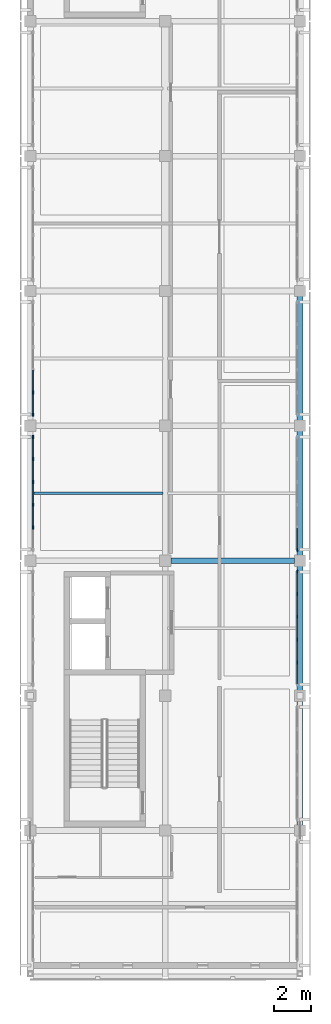
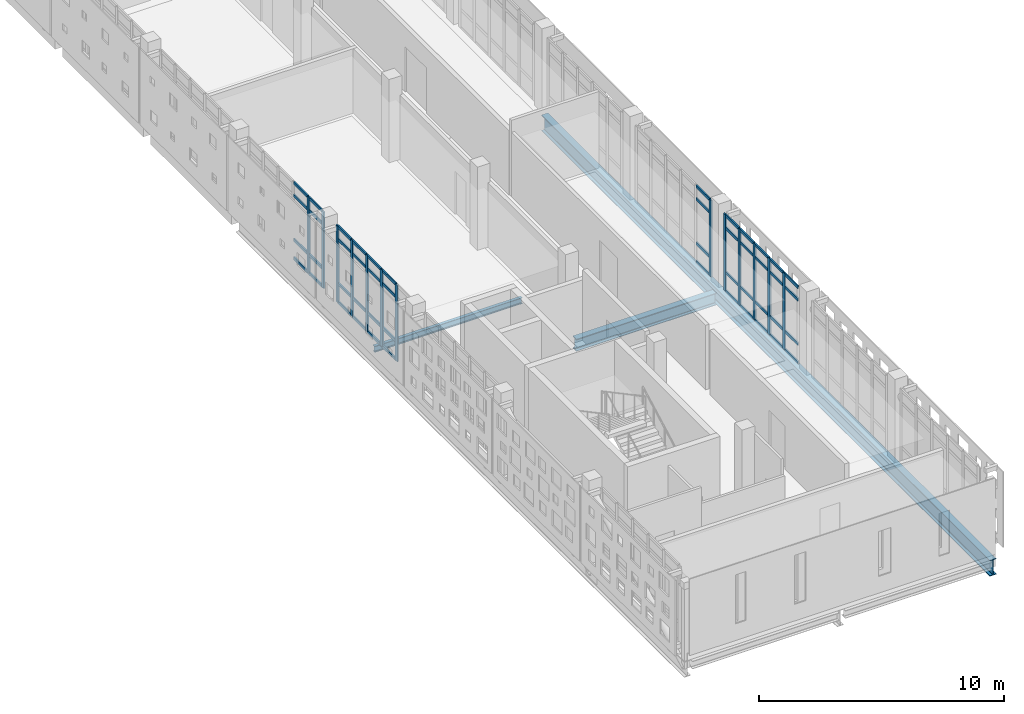
# One storey, part 4 of 21: 61 members, 3 beams, 4 elements without a shape of their own.
"""IFC4 building model written with IfcOpenShell, lengths in metres."""

from ifc_helpers import new_model, si_unit, direction, frame, origin, origin_2d, place, context, subcontext, project, spatial, rectangle, i_section, extrude, material, layer, layer_set, material_profile, profile_set, type_object, element, aggregate, save


model = new_model("IFC4")

# Units and contexts
model_context = context("Model", 3, precision=1e-05, world=origin(), true_north=direction((0.0, 1.0)))
body_context = subcontext(model_context, "Body", "Model", "MODEL_VIEW")
ifc_project = project(units=[si_unit("LENGTHUNIT", "METRE"), si_unit("AREAUNIT", "SQUARE_METRE"), si_unit("VOLUMEUNIT", "CUBIC_METRE"), si_unit("PLANEANGLEUNIT", "RADIAN"), si_unit("MASSUNIT", "GRAM", prefix="KILO")], contexts=[model_context])

# Site, building, storey
site_placement = place(None, origin())
site = spatial("IfcSite", under=ifc_project, at=site_placement, CompositionType="ELEMENT")
building_placement = place(site_placement, origin())
building = spatial("IfcBuilding", under=site, at=building_placement, Name="Valkovuoma Quantum and Materials Research Institute", CompositionType="ELEMENT")
storey_placement = place(building_placement, frame((0.0, 0.0, 33.919921875)))
storey = spatial("IfcBuildingStorey", under=building, at=storey_placement, Name="L08", CompositionType="ELEMENT", Elevation=33.919921875)

# Beams
ifc_material_1 = material(Name="Steel S355J2", Category="steel")
ifc_material_profile_1 = material_profile(ifc_material_1, i_section(OverallWidth=0.300048828125, OverallDepth=0.60009765625, WebThickness=0.015380859375, FlangeThickness=0.030029296875, FilletRadius=0.027099609375, at=origin_2d()), Name="Steel S355J2")
ifc_profile_set_1 = profile_set([ifc_material_profile_1], Name="Steel S355J2")
beam_type_1 = type_object("IfcBeamType", Name="Beam-B-HEB600", PredefinedType="BEAM", material=ifc_profile_set_1)
beam_1_placement = place(storey_placement, frame((7.5, 43.199951171875, -0.64990234375), z_axis=(1.0, 0.0, 0.0), x_axis=(0.0, 1.0, 0.0)))
element("IfcBeam", 1, at=beam_1_placement, inside=storey, type_object=beam_type_1, Name="L08 beam X-2535", PredefinedType="BEAM", context=body_context, shape_type="SweptSolid", body=[
    extrude(i_section(OverallWidth=0.300048828125, OverallDepth=0.60009765625, WebThickness=0.015380859375, FlangeThickness=0.030029296875, FilletRadius=0.027099609375, at=origin_2d()), origin(), (0.0, 0.0, 1.0), 6.60009765625),
])
ifc_material_2 = material(Name="Steel S355J2", Category="steel")
ifc_material_profile_2 = material_profile(ifc_material_2, i_section(OverallWidth=0.300048828125, OverallDepth=0.800048828125, WebThickness=0.017578125, FlangeThickness=0.032958984375, FilletRadius=0.030029296875, at=origin_2d()), Name="Steel S355J2")
ifc_profile_set_2 = profile_set([ifc_material_profile_2], Name="Steel S355J2")
beam_type_2 = type_object("IfcBeamType", Name="Beam-B-HEB800", PredefinedType="BEAM", material=ifc_profile_set_2)
beam_2_placement = place(storey_placement, frame((14.39990234375, 21.0, -0.75), z_axis=(0.0, 1.0, 0.0), x_axis=(-1.0, 0.0, 0.0)))
element("IfcBeam", 2, at=beam_2_placement, inside=storey, type_object=beam_type_2, Name="L08 cantilever girder X2", PredefinedType="BEAM", context=body_context, shape_type="SweptSolid", body=[
    extrude(i_section(OverallWidth=0.300048828125, OverallDepth=0.800048828125, WebThickness=0.017578125, FlangeThickness=0.032958984375, FilletRadius=0.030029296875, at=origin_2d()), origin(), (0.0, 0.0, 1.0), 36.60009765625),
])
ifc_material_3 = material(Name="Steel S355J2", Category="steel")
ifc_material_profile_3 = material_profile(ifc_material_3, i_section(OverallWidth=0.14990234375, OverallDepth=0.300048828125, WebThickness=0.007080078125, FlangeThickness=0.0107421875, FilletRadius=0.014892578125, at=origin_2d()), Name="Steel S355J2")
ifc_profile_set_3 = profile_set([ifc_material_profile_3], Name="Steel S355J2")
beam_type_3 = type_object("IfcBeamType", Name="Beam-B-JST300", PredefinedType="JOIST", material=ifc_profile_set_3)
beam_3_placement = place(storey_placement, frame((0.1201171875, 46.800048828125, -0.5), z_axis=(1.0, 0.0, 0.0), x_axis=(0.0, 1.0, 0.0)))
element("IfcBeam", 3, at=beam_3_placement, inside=storey, type_object=beam_type_3, Name="L08 floor joist 2562", PredefinedType="JOIST", context=body_context, shape_type="SweptSolid", body=[
    extrude(i_section(OverallWidth=0.14990234375, OverallDepth=0.300048828125, WebThickness=0.007080078125, FlangeThickness=0.0107421875, FilletRadius=0.014892578125, at=origin_2d()), origin(), (0.0, 0.0, 1.0), 6.9599609375),
])

# Curtain wall, members
ifc_material_4 = material(Name="Thermally broken aluminium and triple low-E glazing", Category="aluminium")
ifc_layer = layer(ifc_material_4, 0.219970703125)
ifc_layer_set = layer_set([ifc_layer], Name="Thermally broken aluminium and triple low-E glazing")
curtain_wall_type = type_object("IfcCurtainWallType", Name="CW-CW-01", PredefinedType="NOTDEFINED", material=ifc_layer_set)
curtain_wall_1_placement = place(storey_placement, origin())
curtain_wall_1 = element("IfcCurtainWall", 4, at=curtain_wall_1_placement, inside=storey, type_object=curtain_wall_type, Name="L08 curtain wall 113", PredefinedType="NOTDEFINED")
ifc_material_5 = material(Name="Anodised aluminium 6060-T66", Category="aluminium")
ifc_material_profile_4 = material_profile(ifc_material_5, rectangle(XDim=0.06494140625, YDim=0.179931640625, at=origin_2d()), Name="Anodised aluminium 6060-T66")
ifc_profile_set_4 = profile_set([ifc_material_profile_4], Name="Anodised aluminium 6060-T66")
member_type_1 = type_object("IfcMemberType", Name="CWMull-CWM-01", PredefinedType="MULLION", material=ifc_profile_set_4)
member_1_placement = place(storey_placement, frame((14.25, 37.774169921875, 0.0), z_axis=(0.0, 0.0, 1.0), x_axis=(-1.0, 0.0, 0.0)))
member_1 = element("IfcMember", 5, at=member_1_placement, type_object=member_type_1, Name="CW-01 mullion 2", PredefinedType="MULLION", context=body_context, shape_type="SweptSolid", body=[
    extrude(rectangle(XDim=0.06494140625, YDim=0.179931640625, at=origin_2d()), origin(), (0.0, 0.0, 1.0), 3.81005859375),
])
member_2_placement = place(storey_placement, frame((14.25, 38.991455078125, 0.0), z_axis=(0.0, 0.0, 1.0), x_axis=(-1.0, 0.0, 0.0)))
member_2 = element("IfcMember", 6, at=member_2_placement, type_object=member_type_1, Name="CW-01 mullion 3", PredefinedType="MULLION", context=body_context, shape_type="SweptSolid", body=[
    extrude(rectangle(XDim=0.06494140625, YDim=0.179931640625, at=origin_2d()), origin(), (0.0, 0.0, 1.0), 3.81005859375),
])
member_3_placement = place(storey_placement, frame((14.25, 40.20849609375, 0.0), z_axis=(0.0, 0.0, 1.0), x_axis=(-1.0, 0.0, 0.0)))
member_3 = element("IfcMember", 7, at=member_3_placement, type_object=member_type_1, Name="CW-01 mullion 4", PredefinedType="MULLION", context=body_context, shape_type="SweptSolid", body=[
    extrude(rectangle(XDim=0.06494140625, YDim=0.179931640625, at=origin_2d()), origin(), (0.0, 0.0, 1.0), 3.81005859375),
])
member_4_placement = place(storey_placement, frame((14.25, 41.42578125, 0.0), z_axis=(0.0, 0.0, 1.0), x_axis=(-1.0, 0.0, 0.0)))
member_4 = element("IfcMember", 8, at=member_4_placement, type_object=member_type_1, Name="CW-01 mullion 5", PredefinedType="MULLION", context=body_context, shape_type="SweptSolid", body=[
    extrude(rectangle(XDim=0.06494140625, YDim=0.179931640625, at=origin_2d()), origin(), (0.0, 0.0, 1.0), 3.81005859375),
])
member_5_placement = place(storey_placement, frame((14.25, 42.6103515625, 0.0), z_axis=(0.0, 0.0, 1.0), x_axis=(-1.0, 0.0, 0.0)))
member_5 = element("IfcMember", 9, at=member_5_placement, type_object=member_type_1, Name="CW-01 mullion 6", PredefinedType="MULLION", context=body_context, shape_type="SweptSolid", body=[
    extrude(rectangle(XDim=0.06494140625, YDim=0.179931640625, at=origin_2d()), origin(), (0.0, 0.0, 1.0), 3.81005859375),
])

curtain_wall_2_placement = place(storey_placement, origin())
curtain_wall_2 = element("IfcCurtainWall", 10, at=curtain_wall_2_placement, inside=storey, type_object=curtain_wall_type, Name="L08 curtain wall 114", PredefinedType="NOTDEFINED")
member_6_placement = place(storey_placement, frame((0.14990234375, 44.974365234375, 0.0), z_axis=(0.0, 0.0, 1.0), x_axis=(-1.0, 0.0, 0.0)))
member_6 = element("IfcMember", 11, at=member_6_placement, type_object=member_type_1, Name="CW-01 mullion 2", PredefinedType="MULLION", context=body_context, shape_type="SweptSolid", body=[
    extrude(rectangle(XDim=0.06494140625, YDim=0.179931640625, at=origin_2d()), origin(), (0.0, 0.0, 1.0), 3.81005859375),
])
member_7_placement = place(storey_placement, frame((0.14990234375, 46.19140625, 0.0), z_axis=(0.0, 0.0, 1.0), x_axis=(-1.0, 0.0, 0.0)))
member_7 = element("IfcMember", 12, at=member_7_placement, type_object=member_type_1, Name="CW-01 mullion 3", PredefinedType="MULLION", context=body_context, shape_type="SweptSolid", body=[
    extrude(rectangle(XDim=0.06494140625, YDim=0.179931640625, at=origin_2d()), origin(), (0.0, 0.0, 1.0), 3.81005859375),
])
member_8_placement = place(storey_placement, frame((0.14990234375, 47.40869140625, 0.0), z_axis=(0.0, 0.0, 1.0), x_axis=(-1.0, 0.0, 0.0)))
member_8 = element("IfcMember", 13, at=member_8_placement, type_object=member_type_1, Name="CW-01 mullion 4", PredefinedType="MULLION", context=body_context, shape_type="SweptSolid", body=[
    extrude(rectangle(XDim=0.06494140625, YDim=0.179931640625, at=origin_2d()), origin(), (0.0, 0.0, 1.0), 3.81005859375),
])
member_9_placement = place(storey_placement, frame((0.14990234375, 48.625732421875, 0.0), z_axis=(0.0, 0.0, 1.0), x_axis=(-1.0, 0.0, 0.0)))
member_9 = element("IfcMember", 14, at=member_9_placement, type_object=member_type_1, Name="CW-01 mullion 5", PredefinedType="MULLION", context=body_context, shape_type="SweptSolid", body=[
    extrude(rectangle(XDim=0.06494140625, YDim=0.179931640625, at=origin_2d()), origin(), (0.0, 0.0, 1.0), 3.81005859375),
])
member_10_placement = place(storey_placement, frame((0.14990234375, 49.810302734375, 0.0), z_axis=(0.0, 0.0, 1.0), x_axis=(-1.0, 0.0, 0.0)))
member_10 = element("IfcMember", 15, at=member_10_placement, type_object=member_type_1, Name="CW-01 mullion 6", PredefinedType="MULLION", context=body_context, shape_type="SweptSolid", body=[
    extrude(rectangle(XDim=0.06494140625, YDim=0.179931640625, at=origin_2d()), origin(), (0.0, 0.0, 1.0), 3.81005859375),
])

# Curtain wall, member
curtain_wall_3_placement = place(storey_placement, origin())
curtain_wall_3 = element("IfcCurtainWall", 16, at=curtain_wall_3_placement, inside=storey, type_object=curtain_wall_type, Name="L08 curtain wall 115", PredefinedType="NOTDEFINED")
member_11_placement = place(storey_placement, frame((14.25, 43.78955078125, 0.0), z_axis=(0.0, 0.0, 1.0), x_axis=(-1.0, 0.0, 0.0)))
member_11 = element("IfcMember", 17, at=member_11_placement, type_object=member_type_1, Name="CW-01 mullion 1", PredefinedType="MULLION", context=body_context, shape_type="SweptSolid", body=[
    extrude(rectangle(XDim=0.06494140625, YDim=0.179931640625, at=origin_2d()), origin(), (0.0, 0.0, 1.0), 3.81005859375),
])

# Curtain wall, members
curtain_wall_4_placement = place(storey_placement, origin())
curtain_wall_4 = element("IfcCurtainWall", 18, at=curtain_wall_4_placement, inside=storey, type_object=curtain_wall_type, Name="L08 curtain wall 116", PredefinedType="NOTDEFINED")
member_12_placement = place(storey_placement, frame((0.14990234375, 50.989501953125, 0.0), z_axis=(0.0, 0.0, 1.0), x_axis=(-1.0, 0.0, 0.0)))
member_12 = element("IfcMember", 19, at=member_12_placement, type_object=member_type_1, Name="CW-01 mullion 1", PredefinedType="MULLION", context=body_context, shape_type="SweptSolid", body=[
    extrude(rectangle(XDim=0.06494140625, YDim=0.179931640625, at=origin_2d()), origin(), (0.0, 0.0, 1.0), 3.81005859375),
])
member_13_placement = place(storey_placement, frame((0.14990234375, 52.17431640625, 0.0), z_axis=(0.0, 0.0, 1.0), x_axis=(-1.0, 0.0, 0.0)))
member_13 = element("IfcMember", 20, at=member_13_placement, type_object=member_type_1, Name="CW-01 mullion 2", PredefinedType="MULLION", context=body_context, shape_type="SweptSolid", body=[
    extrude(rectangle(XDim=0.06494140625, YDim=0.179931640625, at=origin_2d()), origin(), (0.0, 0.0, 1.0), 3.81005859375),
])

# Member
ifc_material_6 = material(Name="Anodised aluminium 6060-T66", Category="aluminium")
ifc_material_profile_5 = material_profile(ifc_material_6, rectangle(XDim=0.06494140625, YDim=0.139892578125, at=origin_2d()), Name="Anodised aluminium 6060-T66")
ifc_profile_set_5 = profile_set([ifc_material_profile_5], Name="Anodised aluminium 6060-T66")
member_type_2 = type_object("IfcMemberType", Name="CWTran-CWT-01", PredefinedType="USERDEFINED", material=ifc_profile_set_5)
member_14_placement = place(storey_placement, frame((14.25, 36.6220703125, 0.032470703125), z_axis=(0.0, 1.0, 0.0), x_axis=(-1.0, 0.0, 0.0)))
member_14 = element("IfcMember", 21, at=member_14_placement, type_object=member_type_2, Name="CW-01 transom 1.1", ObjectType="TRANSOM", PredefinedType="USERDEFINED", context=body_context, shape_type="SweptSolid", body=[
    extrude(rectangle(XDim=0.06494140625, YDim=0.139892578125, at=origin_2d()), origin(), (0.0, 0.0, 1.0), 1.11962890625),
])

member_15_placement = place(storey_placement, frame((14.25, 36.6220703125, 0.9501953125), z_axis=(0.0, 1.0, 0.0), x_axis=(-1.0, 0.0, 0.0)))
member_15 = element("IfcMember", 22, at=member_15_placement, type_object=member_type_2, Name="CW-01 transom 1.2", ObjectType="TRANSOM", PredefinedType="USERDEFINED", context=body_context, shape_type="SweptSolid", body=[
    extrude(rectangle(XDim=0.06494140625, YDim=0.139892578125, at=origin_2d()), origin(), (0.0, 0.0, 1.0), 1.11962890625),
])

member_16_placement = place(storey_placement, frame((14.25, 36.6220703125, 3.16015625), z_axis=(0.0, 1.0, 0.0), x_axis=(-1.0, 0.0, 0.0)))
member_16 = element("IfcMember", 23, at=member_16_placement, type_object=member_type_2, Name="CW-01 transom 1.3", ObjectType="TRANSOM", PredefinedType="USERDEFINED", context=body_context, shape_type="SweptSolid", body=[
    extrude(rectangle(XDim=0.06494140625, YDim=0.139892578125, at=origin_2d()), origin(), (0.0, 0.0, 1.0), 1.11962890625),
])

member_17_placement = place(storey_placement, frame((14.25, 36.6220703125, 3.777587890625), z_axis=(0.0, 1.0, 0.0), x_axis=(-1.0, 0.0, 0.0)))
member_17 = element("IfcMember", 24, at=member_17_placement, type_object=member_type_2, Name="CW-01 transom 1.4", ObjectType="TRANSOM", PredefinedType="USERDEFINED", context=body_context, shape_type="SweptSolid", body=[
    extrude(rectangle(XDim=0.06494140625, YDim=0.139892578125, at=origin_2d()), origin(), (0.0, 0.0, 1.0), 1.11962890625),
])

member_18_placement = place(storey_placement, frame((14.25, 37.806640625, 0.032470703125), z_axis=(0.0, 1.0, 0.0), x_axis=(-1.0, 0.0, 0.0)))
member_18 = element("IfcMember", 25, at=member_18_placement, type_object=member_type_2, Name="CW-01 transom 2.1", ObjectType="TRANSOM", PredefinedType="USERDEFINED", context=body_context, shape_type="SweptSolid", body=[
    extrude(rectangle(XDim=0.06494140625, YDim=0.139892578125, at=origin_2d()), origin(), (0.0, 0.0, 1.0), 1.15234375),
])

member_19_placement = place(storey_placement, frame((14.25, 37.806640625, 0.9501953125), z_axis=(0.0, 1.0, 0.0), x_axis=(-1.0, 0.0, 0.0)))
member_19 = element("IfcMember", 26, at=member_19_placement, type_object=member_type_2, Name="CW-01 transom 2.2", ObjectType="TRANSOM", PredefinedType="USERDEFINED", context=body_context, shape_type="SweptSolid", body=[
    extrude(rectangle(XDim=0.06494140625, YDim=0.139892578125, at=origin_2d()), origin(), (0.0, 0.0, 1.0), 1.15234375),
])

member_20_placement = place(storey_placement, frame((14.25, 37.806640625, 3.16015625), z_axis=(0.0, 1.0, 0.0), x_axis=(-1.0, 0.0, 0.0)))
member_20 = element("IfcMember", 27, at=member_20_placement, type_object=member_type_2, Name="CW-01 transom 2.3", ObjectType="TRANSOM", PredefinedType="USERDEFINED", context=body_context, shape_type="SweptSolid", body=[
    extrude(rectangle(XDim=0.06494140625, YDim=0.139892578125, at=origin_2d()), origin(), (0.0, 0.0, 1.0), 1.15234375),
])

member_21_placement = place(storey_placement, frame((14.25, 37.806640625, 3.777587890625), z_axis=(0.0, 1.0, 0.0), x_axis=(-1.0, 0.0, 0.0)))
member_21 = element("IfcMember", 28, at=member_21_placement, type_object=member_type_2, Name="CW-01 transom 2.4", ObjectType="TRANSOM", PredefinedType="USERDEFINED", context=body_context, shape_type="SweptSolid", body=[
    extrude(rectangle(XDim=0.06494140625, YDim=0.139892578125, at=origin_2d()), origin(), (0.0, 0.0, 1.0), 1.15234375),
])

member_22_placement = place(storey_placement, frame((14.25, 39.02392578125, 0.032470703125), z_axis=(0.0, 1.0, 0.0), x_axis=(-1.0, 0.0, 0.0)))
member_22 = element("IfcMember", 29, at=member_22_placement, type_object=member_type_2, Name="CW-01 transom 3.1", ObjectType="TRANSOM", PredefinedType="USERDEFINED", context=body_context, shape_type="SweptSolid", body=[
    extrude(rectangle(XDim=0.06494140625, YDim=0.139892578125, at=origin_2d()), origin(), (0.0, 0.0, 1.0), 1.152099609375),
])

member_23_placement = place(storey_placement, frame((14.25, 39.02392578125, 0.9501953125), z_axis=(0.0, 1.0, 0.0), x_axis=(-1.0, 0.0, 0.0)))
member_23 = element("IfcMember", 30, at=member_23_placement, type_object=member_type_2, Name="CW-01 transom 3.2", ObjectType="TRANSOM", PredefinedType="USERDEFINED", context=body_context, shape_type="SweptSolid", body=[
    extrude(rectangle(XDim=0.06494140625, YDim=0.139892578125, at=origin_2d()), origin(), (0.0, 0.0, 1.0), 1.152099609375),
])

member_24_placement = place(storey_placement, frame((14.25, 39.02392578125, 3.16015625), z_axis=(0.0, 1.0, 0.0), x_axis=(-1.0, 0.0, 0.0)))
member_24 = element("IfcMember", 31, at=member_24_placement, type_object=member_type_2, Name="CW-01 transom 3.3", ObjectType="TRANSOM", PredefinedType="USERDEFINED", context=body_context, shape_type="SweptSolid", body=[
    extrude(rectangle(XDim=0.06494140625, YDim=0.139892578125, at=origin_2d()), origin(), (0.0, 0.0, 1.0), 1.152099609375),
])

member_25_placement = place(storey_placement, frame((14.25, 39.02392578125, 3.777587890625), z_axis=(0.0, 1.0, 0.0), x_axis=(-1.0, 0.0, 0.0)))
member_25 = element("IfcMember", 32, at=member_25_placement, type_object=member_type_2, Name="CW-01 transom 3.4", ObjectType="TRANSOM", PredefinedType="USERDEFINED", context=body_context, shape_type="SweptSolid", body=[
    extrude(rectangle(XDim=0.06494140625, YDim=0.139892578125, at=origin_2d()), origin(), (0.0, 0.0, 1.0), 1.152099609375),
])

member_26_placement = place(storey_placement, frame((14.25, 40.240966796875, 0.032470703125), z_axis=(0.0, 1.0, 0.0), x_axis=(-1.0, 0.0, 0.0)))
member_26 = element("IfcMember", 33, at=member_26_placement, type_object=member_type_2, Name="CW-01 transom 4.1", ObjectType="TRANSOM", PredefinedType="USERDEFINED", context=body_context, shape_type="SweptSolid", body=[
    extrude(rectangle(XDim=0.06494140625, YDim=0.139892578125, at=origin_2d()), origin(), (0.0, 0.0, 1.0), 1.15234375),
])

member_27_placement = place(storey_placement, frame((14.25, 40.240966796875, 0.9501953125), z_axis=(0.0, 1.0, 0.0), x_axis=(-1.0, 0.0, 0.0)))
member_27 = element("IfcMember", 34, at=member_27_placement, type_object=member_type_2, Name="CW-01 transom 4.2", ObjectType="TRANSOM", PredefinedType="USERDEFINED", context=body_context, shape_type="SweptSolid", body=[
    extrude(rectangle(XDim=0.06494140625, YDim=0.139892578125, at=origin_2d()), origin(), (0.0, 0.0, 1.0), 1.15234375),
])

member_28_placement = place(storey_placement, frame((14.25, 40.240966796875, 3.16015625), z_axis=(0.0, 1.0, 0.0), x_axis=(-1.0, 0.0, 0.0)))
member_28 = element("IfcMember", 35, at=member_28_placement, type_object=member_type_2, Name="CW-01 transom 4.3", ObjectType="TRANSOM", PredefinedType="USERDEFINED", context=body_context, shape_type="SweptSolid", body=[
    extrude(rectangle(XDim=0.06494140625, YDim=0.139892578125, at=origin_2d()), origin(), (0.0, 0.0, 1.0), 1.15234375),
])

member_29_placement = place(storey_placement, frame((14.25, 40.240966796875, 3.777587890625), z_axis=(0.0, 1.0, 0.0), x_axis=(-1.0, 0.0, 0.0)))
member_29 = element("IfcMember", 36, at=member_29_placement, type_object=member_type_2, Name="CW-01 transom 4.4", ObjectType="TRANSOM", PredefinedType="USERDEFINED", context=body_context, shape_type="SweptSolid", body=[
    extrude(rectangle(XDim=0.06494140625, YDim=0.139892578125, at=origin_2d()), origin(), (0.0, 0.0, 1.0), 1.15234375),
])

member_30_placement = place(storey_placement, frame((14.25, 41.458251953125, 0.032470703125), z_axis=(0.0, 1.0, 0.0), x_axis=(-1.0, 0.0, 0.0)))
member_30 = element("IfcMember", 37, at=member_30_placement, type_object=member_type_2, Name="CW-01 transom 5.1", ObjectType="TRANSOM", PredefinedType="USERDEFINED", context=body_context, shape_type="SweptSolid", body=[
    extrude(rectangle(XDim=0.06494140625, YDim=0.139892578125, at=origin_2d()), origin(), (0.0, 0.0, 1.0), 1.11962890625),
])

member_31_placement = place(storey_placement, frame((14.25, 41.458251953125, 0.9501953125), z_axis=(0.0, 1.0, 0.0), x_axis=(-1.0, 0.0, 0.0)))
member_31 = element("IfcMember", 38, at=member_31_placement, type_object=member_type_2, Name="CW-01 transom 5.2", ObjectType="TRANSOM", PredefinedType="USERDEFINED", context=body_context, shape_type="SweptSolid", body=[
    extrude(rectangle(XDim=0.06494140625, YDim=0.139892578125, at=origin_2d()), origin(), (0.0, 0.0, 1.0), 1.11962890625),
])

member_32_placement = place(storey_placement, frame((14.25, 41.458251953125, 3.16015625), z_axis=(0.0, 1.0, 0.0), x_axis=(-1.0, 0.0, 0.0)))
member_32 = element("IfcMember", 39, at=member_32_placement, type_object=member_type_2, Name="CW-01 transom 5.3", ObjectType="TRANSOM", PredefinedType="USERDEFINED", context=body_context, shape_type="SweptSolid", body=[
    extrude(rectangle(XDim=0.06494140625, YDim=0.139892578125, at=origin_2d()), origin(), (0.0, 0.0, 1.0), 1.11962890625),
])

member_33_placement = place(storey_placement, frame((14.25, 41.458251953125, 3.777587890625), z_axis=(0.0, 1.0, 0.0), x_axis=(-1.0, 0.0, 0.0)))
member_33 = element("IfcMember", 40, at=member_33_placement, type_object=member_type_2, Name="CW-01 transom 5.4", ObjectType="TRANSOM", PredefinedType="USERDEFINED", context=body_context, shape_type="SweptSolid", body=[
    extrude(rectangle(XDim=0.06494140625, YDim=0.139892578125, at=origin_2d()), origin(), (0.0, 0.0, 1.0), 1.11962890625),
])

aggregate(curtain_wall_1, [member_1, member_2, member_3, member_4, member_5, member_14, member_15, member_16, member_17, member_18, member_19, member_20, member_21, member_22, member_23, member_24, member_25, member_26, member_27, member_28, member_29, member_30, member_31, member_32, member_33])

member_34_placement = place(storey_placement, frame((0.14990234375, 45.0068359375, 0.032470703125), z_axis=(0.0, 1.0, 0.0), x_axis=(-1.0, 0.0, 0.0)))
member_34 = element("IfcMember", 41, at=member_34_placement, type_object=member_type_2, Name="CW-01 transom 2.1", ObjectType="TRANSOM", PredefinedType="USERDEFINED", context=body_context, shape_type="SweptSolid", body=[
    extrude(rectangle(XDim=0.06494140625, YDim=0.139892578125, at=origin_2d()), origin(), (0.0, 0.0, 1.0), 1.152099609375),
])

member_35_placement = place(storey_placement, frame((0.14990234375, 45.0068359375, 0.9501953125), z_axis=(0.0, 1.0, 0.0), x_axis=(-1.0, 0.0, 0.0)))
member_35 = element("IfcMember", 42, at=member_35_placement, type_object=member_type_2, Name="CW-01 transom 2.2", ObjectType="TRANSOM", PredefinedType="USERDEFINED", context=body_context, shape_type="SweptSolid", body=[
    extrude(rectangle(XDim=0.06494140625, YDim=0.139892578125, at=origin_2d()), origin(), (0.0, 0.0, 1.0), 1.152099609375),
])

member_36_placement = place(storey_placement, frame((0.14990234375, 45.0068359375, 3.16015625), z_axis=(0.0, 1.0, 0.0), x_axis=(-1.0, 0.0, 0.0)))
member_36 = element("IfcMember", 43, at=member_36_placement, type_object=member_type_2, Name="CW-01 transom 2.3", ObjectType="TRANSOM", PredefinedType="USERDEFINED", context=body_context, shape_type="SweptSolid", body=[
    extrude(rectangle(XDim=0.06494140625, YDim=0.139892578125, at=origin_2d()), origin(), (0.0, 0.0, 1.0), 1.152099609375),
])

member_37_placement = place(storey_placement, frame((0.14990234375, 45.0068359375, 3.777587890625), z_axis=(0.0, 1.0, 0.0), x_axis=(-1.0, 0.0, 0.0)))
member_37 = element("IfcMember", 44, at=member_37_placement, type_object=member_type_2, Name="CW-01 transom 2.4", ObjectType="TRANSOM", PredefinedType="USERDEFINED", context=body_context, shape_type="SweptSolid", body=[
    extrude(rectangle(XDim=0.06494140625, YDim=0.139892578125, at=origin_2d()), origin(), (0.0, 0.0, 1.0), 1.152099609375),
])

member_38_placement = place(storey_placement, frame((0.14990234375, 46.223876953125, 0.032470703125), z_axis=(0.0, 1.0, 0.0), x_axis=(-1.0, 0.0, 0.0)))
member_38 = element("IfcMember", 45, at=member_38_placement, type_object=member_type_2, Name="CW-01 transom 3.1", ObjectType="TRANSOM", PredefinedType="USERDEFINED", context=body_context, shape_type="SweptSolid", body=[
    extrude(rectangle(XDim=0.06494140625, YDim=0.139892578125, at=origin_2d()), origin(), (0.0, 0.0, 1.0), 1.152099609375),
])

member_39_placement = place(storey_placement, frame((0.14990234375, 46.223876953125, 0.9501953125), z_axis=(0.0, 1.0, 0.0), x_axis=(-1.0, 0.0, 0.0)))
member_39 = element("IfcMember", 46, at=member_39_placement, type_object=member_type_2, Name="CW-01 transom 3.2", ObjectType="TRANSOM", PredefinedType="USERDEFINED", context=body_context, shape_type="SweptSolid", body=[
    extrude(rectangle(XDim=0.06494140625, YDim=0.139892578125, at=origin_2d()), origin(), (0.0, 0.0, 1.0), 1.152099609375),
])

member_40_placement = place(storey_placement, frame((0.14990234375, 46.223876953125, 3.16015625), z_axis=(0.0, 1.0, 0.0), x_axis=(-1.0, 0.0, 0.0)))
member_40 = element("IfcMember", 47, at=member_40_placement, type_object=member_type_2, Name="CW-01 transom 3.3", ObjectType="TRANSOM", PredefinedType="USERDEFINED", context=body_context, shape_type="SweptSolid", body=[
    extrude(rectangle(XDim=0.06494140625, YDim=0.139892578125, at=origin_2d()), origin(), (0.0, 0.0, 1.0), 1.152099609375),
])

member_41_placement = place(storey_placement, frame((0.14990234375, 46.223876953125, 3.777587890625), z_axis=(0.0, 1.0, 0.0), x_axis=(-1.0, 0.0, 0.0)))
member_41 = element("IfcMember", 48, at=member_41_placement, type_object=member_type_2, Name="CW-01 transom 3.4", ObjectType="TRANSOM", PredefinedType="USERDEFINED", context=body_context, shape_type="SweptSolid", body=[
    extrude(rectangle(XDim=0.06494140625, YDim=0.139892578125, at=origin_2d()), origin(), (0.0, 0.0, 1.0), 1.152099609375),
])

member_42_placement = place(storey_placement, frame((0.14990234375, 47.441162109375, 0.032470703125), z_axis=(0.0, 1.0, 0.0), x_axis=(-1.0, 0.0, 0.0)))
member_42 = element("IfcMember", 49, at=member_42_placement, type_object=member_type_2, Name="CW-01 transom 4.1", ObjectType="TRANSOM", PredefinedType="USERDEFINED", context=body_context, shape_type="SweptSolid", body=[
    extrude(rectangle(XDim=0.06494140625, YDim=0.139892578125, at=origin_2d()), origin(), (0.0, 0.0, 1.0), 1.152099609375),
])

member_43_placement = place(storey_placement, frame((0.14990234375, 47.441162109375, 0.9501953125), z_axis=(0.0, 1.0, 0.0), x_axis=(-1.0, 0.0, 0.0)))
member_43 = element("IfcMember", 50, at=member_43_placement, type_object=member_type_2, Name="CW-01 transom 4.2", ObjectType="TRANSOM", PredefinedType="USERDEFINED", context=body_context, shape_type="SweptSolid", body=[
    extrude(rectangle(XDim=0.06494140625, YDim=0.139892578125, at=origin_2d()), origin(), (0.0, 0.0, 1.0), 1.152099609375),
])

member_44_placement = place(storey_placement, frame((0.14990234375, 47.441162109375, 3.16015625), z_axis=(0.0, 1.0, 0.0), x_axis=(-1.0, 0.0, 0.0)))
member_44 = element("IfcMember", 51, at=member_44_placement, type_object=member_type_2, Name="CW-01 transom 4.3", ObjectType="TRANSOM", PredefinedType="USERDEFINED", context=body_context, shape_type="SweptSolid", body=[
    extrude(rectangle(XDim=0.06494140625, YDim=0.139892578125, at=origin_2d()), origin(), (0.0, 0.0, 1.0), 1.152099609375),
])

member_45_placement = place(storey_placement, frame((0.14990234375, 47.441162109375, 3.777587890625), z_axis=(0.0, 1.0, 0.0), x_axis=(-1.0, 0.0, 0.0)))
member_45 = element("IfcMember", 52, at=member_45_placement, type_object=member_type_2, Name="CW-01 transom 4.4", ObjectType="TRANSOM", PredefinedType="USERDEFINED", context=body_context, shape_type="SweptSolid", body=[
    extrude(rectangle(XDim=0.06494140625, YDim=0.139892578125, at=origin_2d()), origin(), (0.0, 0.0, 1.0), 1.152099609375),
])

member_46_placement = place(storey_placement, frame((0.14990234375, 48.658203125, 0.032470703125), z_axis=(0.0, 1.0, 0.0), x_axis=(-1.0, 0.0, 0.0)))
member_46 = element("IfcMember", 53, at=member_46_placement, type_object=member_type_2, Name="CW-01 transom 5.1", ObjectType="TRANSOM", PredefinedType="USERDEFINED", context=body_context, shape_type="SweptSolid", body=[
    extrude(rectangle(XDim=0.06494140625, YDim=0.139892578125, at=origin_2d()), origin(), (0.0, 0.0, 1.0), 1.11962890625),
])

member_47_placement = place(storey_placement, frame((0.14990234375, 48.658203125, 0.9501953125), z_axis=(0.0, 1.0, 0.0), x_axis=(-1.0, 0.0, 0.0)))
member_47 = element("IfcMember", 54, at=member_47_placement, type_object=member_type_2, Name="CW-01 transom 5.2", ObjectType="TRANSOM", PredefinedType="USERDEFINED", context=body_context, shape_type="SweptSolid", body=[
    extrude(rectangle(XDim=0.06494140625, YDim=0.139892578125, at=origin_2d()), origin(), (0.0, 0.0, 1.0), 1.11962890625),
])

member_48_placement = place(storey_placement, frame((0.14990234375, 48.658203125, 3.16015625), z_axis=(0.0, 1.0, 0.0), x_axis=(-1.0, 0.0, 0.0)))
member_48 = element("IfcMember", 55, at=member_48_placement, type_object=member_type_2, Name="CW-01 transom 5.3", ObjectType="TRANSOM", PredefinedType="USERDEFINED", context=body_context, shape_type="SweptSolid", body=[
    extrude(rectangle(XDim=0.06494140625, YDim=0.139892578125, at=origin_2d()), origin(), (0.0, 0.0, 1.0), 1.11962890625),
])

member_49_placement = place(storey_placement, frame((0.14990234375, 48.658203125, 3.777587890625), z_axis=(0.0, 1.0, 0.0), x_axis=(-1.0, 0.0, 0.0)))
member_49 = element("IfcMember", 56, at=member_49_placement, type_object=member_type_2, Name="CW-01 transom 5.4", ObjectType="TRANSOM", PredefinedType="USERDEFINED", context=body_context, shape_type="SweptSolid", body=[
    extrude(rectangle(XDim=0.06494140625, YDim=0.139892578125, at=origin_2d()), origin(), (0.0, 0.0, 1.0), 1.11962890625),
])

aggregate(curtain_wall_2, [member_6, member_7, member_8, member_9, member_10, member_34, member_35, member_36, member_37, member_38, member_39, member_40, member_41, member_42, member_43, member_44, member_45, member_46, member_47, member_48, member_49])

member_50_placement = place(storey_placement, frame((14.25, 43.822021484375, 0.032470703125), z_axis=(0.0, 1.0, 0.0), x_axis=(-1.0, 0.0, 0.0)))
member_50 = element("IfcMember", 57, at=member_50_placement, type_object=member_type_2, Name="CW-01 transom 1.1", ObjectType="TRANSOM", PredefinedType="USERDEFINED", context=body_context, shape_type="SweptSolid", body=[
    extrude(rectangle(XDim=0.06494140625, YDim=0.139892578125, at=origin_2d()), origin(), (0.0, 0.0, 1.0), 1.11962890625),
])

member_51_placement = place(storey_placement, frame((14.25, 43.822021484375, 0.9501953125), z_axis=(0.0, 1.0, 0.0), x_axis=(-1.0, 0.0, 0.0)))
member_51 = element("IfcMember", 58, at=member_51_placement, type_object=member_type_2, Name="CW-01 transom 1.2", ObjectType="TRANSOM", PredefinedType="USERDEFINED", context=body_context, shape_type="SweptSolid", body=[
    extrude(rectangle(XDim=0.06494140625, YDim=0.139892578125, at=origin_2d()), origin(), (0.0, 0.0, 1.0), 1.11962890625),
])

member_52_placement = place(storey_placement, frame((14.25, 43.822021484375, 3.16015625), z_axis=(0.0, 1.0, 0.0), x_axis=(-1.0, 0.0, 0.0)))
member_52 = element("IfcMember", 59, at=member_52_placement, type_object=member_type_2, Name="CW-01 transom 1.3", ObjectType="TRANSOM", PredefinedType="USERDEFINED", context=body_context, shape_type="SweptSolid", body=[
    extrude(rectangle(XDim=0.06494140625, YDim=0.139892578125, at=origin_2d()), origin(), (0.0, 0.0, 1.0), 1.11962890625),
])

member_53_placement = place(storey_placement, frame((14.25, 43.822021484375, 3.777587890625), z_axis=(0.0, 1.0, 0.0), x_axis=(-1.0, 0.0, 0.0)))
member_53 = element("IfcMember", 60, at=member_53_placement, type_object=member_type_2, Name="CW-01 transom 1.4", ObjectType="TRANSOM", PredefinedType="USERDEFINED", context=body_context, shape_type="SweptSolid", body=[
    extrude(rectangle(XDim=0.06494140625, YDim=0.139892578125, at=origin_2d()), origin(), (0.0, 0.0, 1.0), 1.11962890625),
])

aggregate(curtain_wall_3, [member_11, member_50, member_51, member_52, member_53])

member_54_placement = place(storey_placement, frame((0.14990234375, 51.022216796875, 0.032470703125), z_axis=(0.0, 1.0, 0.0), x_axis=(-1.0, 0.0, 0.0)))
member_54 = element("IfcMember", 61, at=member_54_placement, type_object=member_type_2, Name="CW-01 transom 1.1", ObjectType="TRANSOM", PredefinedType="USERDEFINED", context=body_context, shape_type="SweptSolid", body=[
    extrude(rectangle(XDim=0.06494140625, YDim=0.139892578125, at=origin_2d()), origin(), (0.0, 0.0, 1.0), 1.11962890625),
])

member_55_placement = place(storey_placement, frame((0.14990234375, 51.022216796875, 0.9501953125), z_axis=(0.0, 1.0, 0.0), x_axis=(-1.0, 0.0, 0.0)))
member_55 = element("IfcMember", 62, at=member_55_placement, type_object=member_type_2, Name="CW-01 transom 1.2", ObjectType="TRANSOM", PredefinedType="USERDEFINED", context=body_context, shape_type="SweptSolid", body=[
    extrude(rectangle(XDim=0.06494140625, YDim=0.139892578125, at=origin_2d()), origin(), (0.0, 0.0, 1.0), 1.11962890625),
])

member_56_placement = place(storey_placement, frame((0.14990234375, 51.022216796875, 3.16015625), z_axis=(0.0, 1.0, 0.0), x_axis=(-1.0, 0.0, 0.0)))
member_56 = element("IfcMember", 63, at=member_56_placement, type_object=member_type_2, Name="CW-01 transom 1.3", ObjectType="TRANSOM", PredefinedType="USERDEFINED", context=body_context, shape_type="SweptSolid", body=[
    extrude(rectangle(XDim=0.06494140625, YDim=0.139892578125, at=origin_2d()), origin(), (0.0, 0.0, 1.0), 1.11962890625),
])

member_57_placement = place(storey_placement, frame((0.14990234375, 51.022216796875, 3.777587890625), z_axis=(0.0, 1.0, 0.0), x_axis=(-1.0, 0.0, 0.0)))
member_57 = element("IfcMember", 64, at=member_57_placement, type_object=member_type_2, Name="CW-01 transom 1.4", ObjectType="TRANSOM", PredefinedType="USERDEFINED", context=body_context, shape_type="SweptSolid", body=[
    extrude(rectangle(XDim=0.06494140625, YDim=0.139892578125, at=origin_2d()), origin(), (0.0, 0.0, 1.0), 1.11962890625),
])

member_58_placement = place(storey_placement, frame((0.14990234375, 52.206787109375, 0.032470703125), z_axis=(0.0, 1.0, 0.0), x_axis=(-1.0, 0.0, 0.0)))
member_58 = element("IfcMember", 65, at=member_58_placement, type_object=member_type_2, Name="CW-01 transom 2.1", ObjectType="TRANSOM", PredefinedType="USERDEFINED", context=body_context, shape_type="SweptSolid", body=[
    extrude(rectangle(XDim=0.06494140625, YDim=0.139892578125, at=origin_2d()), origin(), (0.0, 0.0, 1.0), 1.152099609375),
])

member_59_placement = place(storey_placement, frame((0.14990234375, 52.206787109375, 0.9501953125), z_axis=(0.0, 1.0, 0.0), x_axis=(-1.0, 0.0, 0.0)))
member_59 = element("IfcMember", 66, at=member_59_placement, type_object=member_type_2, Name="CW-01 transom 2.2", ObjectType="TRANSOM", PredefinedType="USERDEFINED", context=body_context, shape_type="SweptSolid", body=[
    extrude(rectangle(XDim=0.06494140625, YDim=0.139892578125, at=origin_2d()), origin(), (0.0, 0.0, 1.0), 1.152099609375),
])

member_60_placement = place(storey_placement, frame((0.14990234375, 52.206787109375, 3.16015625), z_axis=(0.0, 1.0, 0.0), x_axis=(-1.0, 0.0, 0.0)))
member_60 = element("IfcMember", 67, at=member_60_placement, type_object=member_type_2, Name="CW-01 transom 2.3", ObjectType="TRANSOM", PredefinedType="USERDEFINED", context=body_context, shape_type="SweptSolid", body=[
    extrude(rectangle(XDim=0.06494140625, YDim=0.139892578125, at=origin_2d()), origin(), (0.0, 0.0, 1.0), 1.152099609375),
])

member_61_placement = place(storey_placement, frame((0.14990234375, 52.206787109375, 3.777587890625), z_axis=(0.0, 1.0, 0.0), x_axis=(-1.0, 0.0, 0.0)))
member_61 = element("IfcMember", 68, at=member_61_placement, type_object=member_type_2, Name="CW-01 transom 2.4", ObjectType="TRANSOM", PredefinedType="USERDEFINED", context=body_context, shape_type="SweptSolid", body=[
    extrude(rectangle(XDim=0.06494140625, YDim=0.139892578125, at=origin_2d()), origin(), (0.0, 0.0, 1.0), 1.152099609375),
])

aggregate(curtain_wall_4, [member_12, member_13, member_54, member_55, member_56, member_57, member_58, member_59, member_60, member_61])

save(model, "model.ifc")
